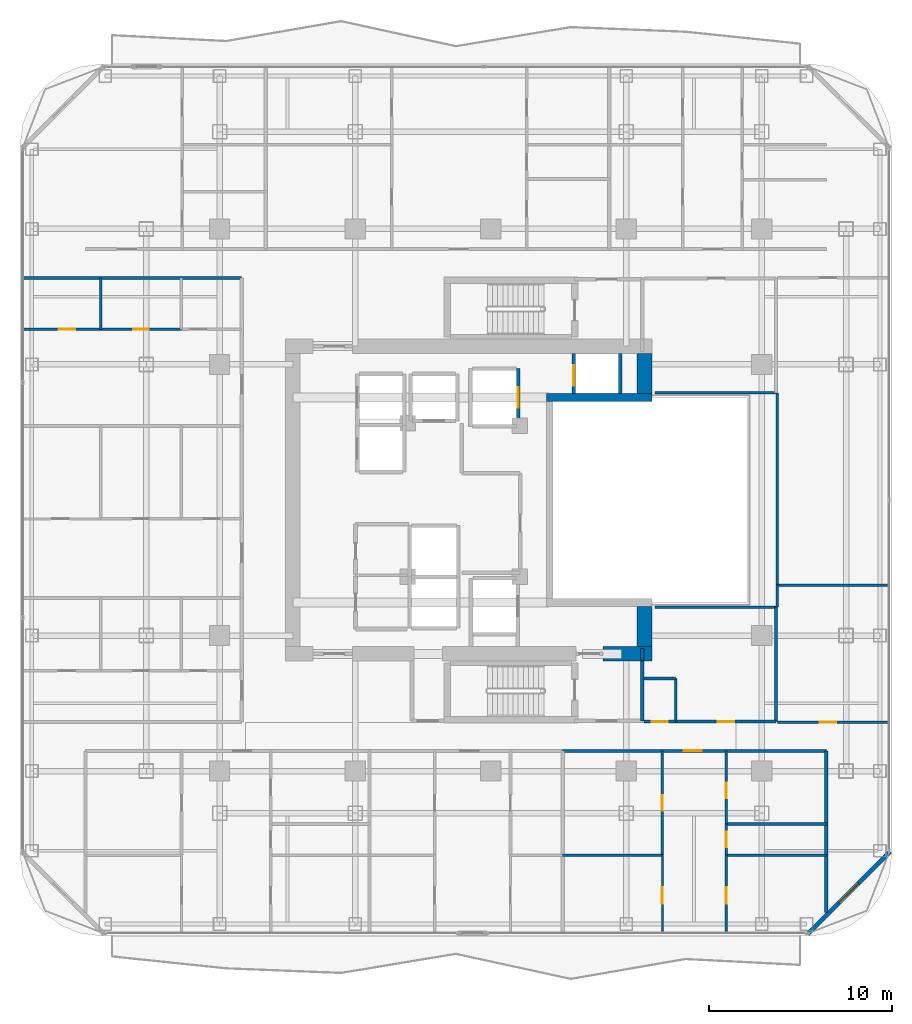
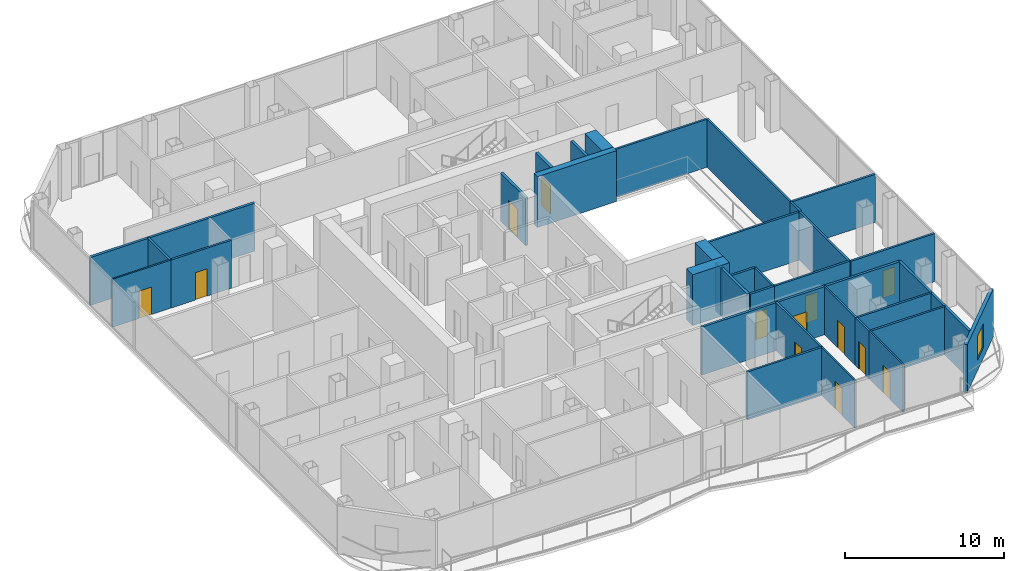
# One storey, part 21 of 26: 35 walls, 13 doors, 1 window, 14 openings.
"""IFC4 building model written with IfcOpenShell, lengths in metres."""

import ifcopenshell
import ifcopenshell.guid

model = None  # the IFC model being written
_history = None  # IfcOwnerHistory: only IFC2X3 demands one
_inside = {}  # id of a spatial element -> (the spatial element, [elements in it])
_under = {}  # id of a project, library or spatial element -> (it, [spatial elements below it])
_declared = {}  # id of a project -> (the project, [libraries it declares])
_typed = {}  # id of a type object -> (the type object, [elements of that type])
_made_of = {}  # id of a material, layer set ... -> (it, [elements and type objects made of it])


def new_model(schema):
    """Start an empty IFC model of exactly this schema.

    Asked for "IFC4X3", IfcOpenShell would pick the latest addendum, in which some entities
    have other attributes; the version numbers below select the first issue.
    IFC2X3 requires an IfcOwnerHistory on every rooted entity: one is made here for all.
    """
    global model, _history
    if schema == "IFC4X3":
        model = ifcopenshell.file(schema_version=(4, 3, 0, 0))
    else:
        model = ifcopenshell.file(schema=schema)
    _inside.clear()
    _under.clear()
    _declared.clear()
    _typed.clear()
    _made_of.clear()
    _history = None
    if model.schema == "IFC2X3":
        org = make("IfcOrganization", Name="unknown")
        user = make(
            "IfcPersonAndOrganization",
            ThePerson=make("IfcPerson", FamilyName="unknown"),
            TheOrganization=org,
        )
        app = make(
            "IfcApplication",
            ApplicationDeveloper=org,
            Version="unknown",
            ApplicationFullName="unknown",
            ApplicationIdentifier="unknown",
        )
        _history = make(
            "IfcOwnerHistory",
            OwningUser=user,
            OwningApplication=app,
            ChangeAction="ADDED",
            CreationDate=0,
        )
    return model


def make(cls, **values):
    """One entity of the class cls with the attributes given. An attribute that is None is left unset."""
    return model.create_entity(
        cls, **{name: value for name, value in values.items() if value is not None}
    )


def rooted(cls, **values):
    """An entity with a GlobalId (a new one), such as an element, a storey or a relation."""
    return make(cls, GlobalId=ifcopenshell.guid.new(), OwnerHistory=_history, **values)


def si_unit(unit_type, name, prefix=None):
    """IfcSIUnit, for example si_unit("LENGTHUNIT", "METRE", prefix="MILLI")."""
    return make("IfcSIUnit", UnitType=unit_type, Prefix=prefix, Name=name)


def assignment(units):
    """IfcUnitAssignment: the units of a project."""
    return None if units is None else make("IfcUnitAssignment", Units=units)


def point(xyz):
    """IfcCartesianPoint."""
    return None if xyz is None else make("IfcCartesianPoint", Coordinates=xyz)


def direction(xyz):
    """IfcDirection."""
    return None if xyz is None else make("IfcDirection", DirectionRatios=xyz)


def frame(location, z_axis=None, x_axis=None):
    """IfcAxis2Placement3D, a coordinate frame: its origin and axes. An axis left out is left unset."""
    return make(
        "IfcAxis2Placement3D",
        Location=point(location),
        Axis=direction(z_axis),
        RefDirection=direction(x_axis),
    )


def frame_2d(location, x_axis=None):
    """IfcAxis2Placement2D, a coordinate frame in the plane: its origin and x axis."""
    return make(
        "IfcAxis2Placement2D", Location=point(location), RefDirection=direction(x_axis)
    )


def origin():
    """The frame at (0, 0, 0) with its axes left unset."""
    return frame((0.0, 0.0, 0.0))


def place(relative_to, where):
    """IfcLocalPlacement: puts the frame where relative to a parent placement (None: the world)."""
    return make(
        "IfcLocalPlacement", PlacementRelTo=relative_to, RelativePlacement=where
    )


def context(
    kind, dimensions, precision=None, world=None, true_north=None, identifier=None
):
    """IfcGeometricRepresentationContext, for example the 3D "Model" context."""
    return make(
        "IfcGeometricRepresentationContext",
        ContextIdentifier=identifier,
        ContextType=kind,
        CoordinateSpaceDimension=dimensions,
        Precision=precision,
        WorldCoordinateSystem=world,
        TrueNorth=true_north,
    )


def subcontext(parent, identifier, kind, view, scale=None):
    """IfcGeometricRepresentationSubContext, for example "Body" below "Model"."""
    return make(
        "IfcGeometricRepresentationSubContext",
        ContextIdentifier=identifier,
        ContextType=kind,
        ParentContext=parent,
        TargetScale=scale,
        TargetView=view,
    )


def project(units=None, contexts=None):
    """IfcProject with its units and contexts."""
    return rooted(
        "IfcProject",
        Name="project",
        RepresentationContexts=contexts,
        UnitsInContext=assignment(units),
    )


def spatial(cls, under=None, at=None, **own):
    """A site, building, storey or space (cls), placed at a placement, below another one or the project."""
    s = rooted(cls, ObjectPlacement=at, **own)
    if under is not None:
        _under.setdefault(under.id(), (under, []))[1].append(s)
    return s


def profile(cls, at=None, kind="AREA", **sizes):
    """A parametric profile (cls). Its sizes go by their IFC names, for example OverallWidth=200.0."""
    return make(cls, ProfileType=kind, Position=at, **sizes)


def rectangle(**sizes):
    """IfcRectangleProfileDef."""
    return profile("IfcRectangleProfileDef", **sizes)


def extrude(swept, where, along, depth):
    """IfcExtrudedAreaSolid: the profile swept, set in the frame where, extruded along a direction by depth."""
    return make(
        "IfcExtrudedAreaSolid",
        SweptArea=swept,
        Position=where,
        ExtrudedDirection=direction(along),
        Depth=depth,
    )


def shape(context_of_items, identifier, shape_type, items):
    """IfcShapeRepresentation: the items that make up one representation, for example the "Body"."""
    return make(
        "IfcShapeRepresentation",
        ContextOfItems=context_of_items,
        RepresentationIdentifier=identifier,
        RepresentationType=shape_type,
        Items=items,
    )


def material(Name=None, Category=None):
    """IfcMaterial."""
    return make("IfcMaterial", Name=Name, Category=Category)


def layer(
    of_material, thickness, ventilated=None, Name=None, Category=None, Priority=None
):
    """IfcMaterialLayer: one layer of a wall or slab, of a material (None: an air gap)."""
    return make(
        "IfcMaterialLayer",
        Material=of_material,
        LayerThickness=thickness,
        IsVentilated=ventilated,
        Name=Name,
        Category=Category,
        Priority=Priority,
    )


def layer_set(layers, Name=None):
    """IfcMaterialLayerSet."""
    return make("IfcMaterialLayerSet", MaterialLayers=layers, LayerSetName=Name)


def made_of(thing, what):
    """Note that an element or type object is made of a material, layer set ...; save() writes the relation."""
    if what is not None:
        _made_of.setdefault(what.id(), (what, []))[1].append(thing)
    return thing


def type_object(cls, material=None, **own):
    """A type object (cls), such as IfcWallType, which elements share."""
    return made_of(rooted(cls, **own), material)


def element(
    cls,
    number,
    at=None,
    inside=None,
    cuts=None,
    type_object=None,
    material=None,
    context=None,
    identifier="Body",
    shape_type=None,
    held_by="IfcProductDefinitionShape",
    body=None,
    shapes=None,
    **own,
):
    """One element of the class cls, such as IfcWall. Its Tag is "e" and its number.

    at: its placement. inside: the storey or other place that contains it. cuts: it is an
    opening in that element (IfcRelVoidsElement). A single representation is given by context,
    identifier, shape_type and body (its items); several are given by shapes. held_by: the class
    of the entity that holds the representations. save() writes the other relations.
    """
    e = rooted(cls, Tag="e%d" % number, ObjectPlacement=at, **own)
    if body is not None:
        shapes = [shape(context, identifier, shape_type, body)]
    if shapes is not None:
        e.Representation = make(held_by, Representations=shapes)
    if inside is not None:
        _inside.setdefault(inside.id(), (inside, []))[1].append(e)
    if cuts is not None:
        rooted(
            "IfcRelVoidsElement", RelatingBuildingElement=cuts, RelatedOpeningElement=e
        )
    if type_object is not None:
        _typed.setdefault(type_object.id(), (type_object, []))[1].append(e)
    return made_of(e, material)


def fill(opening, filler):
    """IfcRelFillsElement: the door or window that sits in an opening."""
    return rooted(
        "IfcRelFillsElement",
        RelatingOpeningElement=opening,
        RelatedBuildingElement=filler,
    )


def aggregate(whole, parts):
    """IfcRelAggregates: a whole, such as a stair, and the parts it consists of."""
    return rooted("IfcRelAggregates", RelatingObject=whole, RelatedObjects=parts)


def save(model, path):
    """Write the relations noted so far, then the file.

    IfcRelAggregates (storeys below a building ...), IfcRelContainedInSpatialStructure (elements
    in a storey), IfcRelDefinesByType, IfcRelAssociatesMaterial and IfcRelDeclares: one each for
    every whole, place, type object, material and project.
    """
    for whole, parts in _under.values():
        aggregate(whole, parts)
    for where, things in _inside.values():
        rooted(
            "IfcRelContainedInSpatialStructure",
            RelatedElements=things,
            RelatingStructure=where,
        )
    for kind, things in _typed.values():
        rooted("IfcRelDefinesByType", RelatedObjects=things, RelatingType=kind)
    for what, things in _made_of.values():
        rooted("IfcRelAssociatesMaterial", RelatedObjects=things, RelatingMaterial=what)
    for by, libraries in _declared.values():
        rooted("IfcRelDeclares", RelatingContext=by, RelatedDefinitions=libraries)
    model.write(path)


model = new_model("IFC4")

# Units and contexts
model_context = context("Model", 3, precision=1e-05, world=origin(), true_north=direction((0.0, 1.0)))
body_context = subcontext(model_context, "Body", "Model", "MODEL_VIEW")
ifc_project = project(units=[si_unit("LENGTHUNIT", "METRE"), si_unit("AREAUNIT", "SQUARE_METRE"), si_unit("VOLUMEUNIT", "CUBIC_METRE"), si_unit("PLANEANGLEUNIT", "RADIAN"), si_unit("MASSUNIT", "GRAM", prefix="KILO")], contexts=[model_context])

# Site, building, storey
site_placement = place(None, origin())
site = spatial("IfcSite", under=ifc_project, at=site_placement, CompositionType="ELEMENT")
building_placement = place(site_placement, origin())
building = spatial("IfcBuilding", under=site, at=building_placement, Name="Khorvyn Point Tower", CompositionType="ELEMENT")
storey_placement = place(building_placement, frame((0.0, 0.0, 183.60009765625)))
storey = spatial("IfcBuildingStorey", under=building, at=storey_placement, Name="L45", CompositionType="ELEMENT", Elevation=183.60009765625)

# Wall, opening, door
ifc_material_1 = material(Name="Double acoustic gypsum on twin steel stud", Category="steel")
ifc_layer_1 = layer(ifc_material_1, 0.179931640625)
ifc_layer_set_1 = layer_set([ifc_layer_1], Name="Acoustic Double-Stud Apartment Demising Wall 180")
wall_type_1 = type_object("IfcWallType", Name="Acoustic Double-Stud Apartment Demising Wall 180", PredefinedType="PARTITIONING", material=ifc_layer_set_1)
wall_1_placement = place(storey_placement, frame((3.929931640625, -13.699951171875, 0.0), z_axis=(0.0, 0.0, 1.0), x_axis=(1.0, 0.0, 0.0)))
wall_1 = element("IfcWall", 1, at=wall_1_placement, inside=storey, type_object=wall_type_1, Name="Wall", PredefinedType="PARTITIONING", context=body_context, shape_type="SweptSolid", body=[
    extrude(rectangle(XDim=14.39013671875, YDim=0.179931640625, at=frame_2d((7.195068359375, 0.0))), origin(), (0.0, 0.0, 1.0), 3.679931640625),
])
opening_1_placement = place(wall_1_placement, frame((6.60546875, 0.0, 0.0)))
opening_1 = element("IfcOpeningElement", 2, at=opening_1_placement, cuts=wall_1, Name="Opening ID-AP60", PredefinedType="OPENING", context=body_context, shape_type="SweptSolid", body=[
    extrude(rectangle(XDim=1.0, YDim=2.199951171875, at=frame_2d((0.5, 1.10009765625))), frame((0.0, 0.099853515625, 0.0), z_axis=(0.0, -1.0, 0.0), x_axis=(1.0, 0.0, 0.0)), (0.0, 0.0, 1.0), 0.199951171875),
])
ifc_material_2 = material(Name="Engineered hardwood fire-rated leaf", Category="wood")
door_type_1 = type_object("IfcDoorType", Name="Acoustic Solid-Core Timber Apartment Entrance Door 1000x2200", OperationType="NOTDEFINED", PredefinedType="DOOR", material=ifc_material_2)
door_1_placement = place(opening_1_placement, origin())
door_1 = element("IfcDoor", 3, at=door_1_placement, inside=storey, type_object=door_type_1, Name="Door", OperationType="SINGLE_SWING_RIGHT", OverallHeight=2.199951171875, OverallWidth=1.0, PredefinedType="DOOR", context=body_context, shape_type="SweptSolid", body=[
    extrude(rectangle(XDim=1.0, YDim=2.199951171875, at=frame_2d((0.5, 1.10009765625))), frame((0.0, 0.02490234375, 0.0), z_axis=(0.0, -1.0, 0.0), x_axis=(1.0, 0.0, 0.0)), (0.0, 0.0, 1.0), 0.050048828125),
])
fill(opening_1, door_1)

# Walls
wall_2_placement = place(storey_placement, frame((18.320068359375, -22.510009765625, 0.0), z_axis=(0.0, 0.0, 1.0), x_axis=(0.0, 1.0, 0.0)))
element("IfcWall", 4, at=wall_2_placement, inside=storey, type_object=wall_type_1, Name="Wall", PredefinedType="PARTITIONING", context=body_context, shape_type="SweptSolid", body=[
    extrude(rectangle(XDim=8.81005859375, YDim=0.179931640625, at=frame_2d((4.405029296875, 0.0))), origin(), (0.0, 0.0, 1.0), 3.679931640625),
])
wall_3_placement = place(storey_placement, frame((-25.530029296875, 12.1201171875, 0.0), z_axis=(0.0, 0.0, 1.0), x_axis=(1.0, 0.0, 0.0)))
element("IfcWall", 5, at=wall_3_placement, inside=storey, type_object=wall_type_1, Name="Wall", PredefinedType="PARTITIONING", context=body_context, shape_type="SweptSolid", body=[
    extrude(rectangle(XDim=11.929931640625, YDim=0.179931640625, at=frame_2d((5.96484375, 0.0))), origin(), (0.0, 0.0, 1.0), 3.679931640625),
])

# Wall, opening, window
ifc_material_3 = material(Name="Pale anodised aluminium rainscreen on steel stud", Category="steel")
ifc_layer_2 = layer(ifc_material_3, 0.239990234375)
ifc_layer_set_2 = layer_set([ifc_layer_2], Name="Anodised Aluminium Insulated Corner Spandrel Wall 240")
wall_type_2 = type_object("IfcWallType", Name="Anodised Aluminium Insulated Corner Spandrel Wall 240", PredefinedType="SOLIDWALL", material=ifc_layer_set_2)
wall_4_placement = place(storey_placement, frame((21.79248046875, -19.20751953125, 0.0), z_axis=(0.0, 0.0, 1.0), x_axis=(-0.707106781187, -0.707106781187, 0.0)))
wall_4 = element("IfcWall", 6, at=wall_4_placement, inside=storey, type_object=wall_type_2, Name="L45 Rounded Corner Wall SE", PredefinedType="SOLIDWALL", context=body_context, shape_type="SweptSolid", body=[
    extrude(rectangle(XDim=6.342529296875, YDim=0.239990234375, at=frame_2d((3.17138671875, 0.0))), origin(), (0.0, 0.0, 1.0), 3.679931640625),
])
opening_2_placement = place(wall_4_placement, frame((2.42138671875, 0.0, 0.800048828125)))
opening_2 = element("IfcOpeningElement", 7, at=opening_2_placement, cuts=wall_4, Name="Opening WN-1518", PredefinedType="OPENING", context=body_context, shape_type="SweptSolid", body=[
    extrude(rectangle(XDim=1.5, YDim=1.85009765625, at=frame_2d((0.75, 0.925048828125))), frame((0.0, 0.1298828125, 0.0), z_axis=(0.0, -1.0, 0.0), x_axis=(1.0, 0.0, 0.0)), (0.0, 0.0, 1.0), 0.260009765625),
])
ifc_material_4 = material(Name="Anodised aluminium 6063-T6 and laminated Low-E glass", Category="aluminium")
window_type = type_object("IfcWindowType", Name="Anodised Aluminium Rounded-Corner Panoramic Window 1500x1850", PartitioningType="SINGLE_PANEL", PredefinedType="WINDOW", material=ifc_material_4)
window_placement = place(opening_2_placement, origin())
window = element("IfcWindow", 8, at=window_placement, inside=storey, type_object=window_type, Name="L45 Corner Panoramic Window SE", OverallHeight=1.85009765625, OverallWidth=1.5, PartitioningType="SINGLE_PANEL", PredefinedType="WINDOW", context=body_context, shape_type="SweptSolid", body=[
    extrude(rectangle(XDim=1.5, YDim=1.85009765625, at=frame_2d((0.75, 0.925048828125))), frame((0.0, 0.030029296875, 0.0), z_axis=(0.0, -1.0, 0.0), x_axis=(1.0, 0.0, 0.0)), (0.0, 0.0, 1.0), 0.06005859375),
])
fill(opening_2, window)

# Walls
ifc_material_5 = material(Name="Concrete C40/50", Category="concrete")
ifc_layer_3 = layer(ifc_material_5, 0.449951171875)
ifc_layer_set_3 = layer_set([ifc_layer_3], Name="Concrete C40/50 Core Shear Wall 450")
wall_type_3 = type_object("IfcWallType", Name="Concrete C40/50 Core Shear Wall 450", PredefinedType="SHEAR", material=ifc_layer_set_3)
wall_5_placement = place(storey_placement, frame((3.044921875, 5.60009765625, 0.0), z_axis=(0.0, 0.0, 1.0), x_axis=(1.0, 0.0, 0.0)))
element("IfcWall", 9, at=wall_5_placement, inside=storey, type_object=wall_type_3, Name="Wall", PredefinedType="SHEAR", context=body_context, shape_type="SweptSolid", body=[
    extrude(rectangle(XDim=5.755126953125, YDim=0.449951171875, at=frame_2d((2.87744140625, 0.0))), origin(), (0.0, 0.0, 1.0), 3.89990234375),
])
ifc_layer_4 = layer(ifc_material_5, 0.199951171875)
ifc_layer_set_4 = layer_set([ifc_layer_4], Name="Concrete C40/50 Fire-Lobby Compartment Wall 200")
wall_type_4 = type_object("IfcWallType", Name="Concrete C40/50 Fire-Lobby Compartment Wall 200", PredefinedType="SOLIDWALL", material=ifc_layer_set_4)
wall_6_placement = place(storey_placement, frame((8.280029296875, -12.06005859375, 0.0), z_axis=(0.0, 0.0, 1.0), x_axis=(0.0, 1.0, 0.0)))
element("IfcWall", 10, at=wall_6_placement, inside=storey, type_object=wall_type_4, Name="Wall", PredefinedType="SOLIDWALL", context=body_context, shape_type="SweptSolid", body=[
    extrude(rectangle(XDim=3.260009765625, YDim=0.199951171875, at=frame_2d((1.6298828125, 0.0))), origin(), (0.0, 0.0, 1.0), 3.679931640625),
])
wall_7_placement = place(storey_placement, frame((8.280029296875, -8.72509765625, 0.0), z_axis=(0.0, 0.0, 1.0), x_axis=(0.0, 1.0, 0.0)))
element("IfcWall", 11, at=wall_7_placement, inside=storey, type_object=wall_type_4, Name="Wall", PredefinedType="SOLIDWALL", context=body_context, shape_type="SweptSolid", body=[
    extrude(rectangle(XDim=0.625, YDim=0.199951171875, at=frame_2d((0.3125, 0.0))), origin(), (0.0, 0.0, 1.0), 3.679931640625),
])

# Wall, opening, door
ifc_layer_5 = layer(ifc_material_5, 0.199951171875)
ifc_layer_set_5 = layer_set([ifc_layer_5], Name="Concrete C40/50 Structural Hoistway and Stair Shaft Wall 200")
wall_type_5 = type_object("IfcWallType", Name="Concrete C40/50 Structural Hoistway and Stair Shaft Wall 200", PredefinedType="SHEAR", material=ifc_layer_set_5)
wall_8_placement = place(storey_placement, frame((1.5, 4.02490234375, 0.0), z_axis=(0.0, 0.0, 1.0), x_axis=(0.0, 1.0, 0.0)))
wall_8 = element("IfcWall", 12, at=wall_8_placement, inside=storey, type_object=wall_type_5, Name="Wall", PredefinedType="SHEAR", context=body_context, shape_type="SweptSolid", body=[
    extrude(rectangle(XDim=3.150146484375, YDim=0.199951171875, at=frame_2d((1.5751953125, 0.0))), origin(), (0.0, 0.0, 1.0), 3.679931640625),
])
opening_3_placement = place(wall_8_placement, frame((1.02490234375, 0.0, 0.0)))
opening_3 = element("IfcOpeningElement", 13, at=opening_3_placement, cuts=wall_8, Name="Opening LD-1122", PredefinedType="OPENING", context=body_context, shape_type="SweptSolid", body=[
    extrude(rectangle(XDim=1.10009765625, YDim=2.199951171875, at=frame_2d((0.550048828125, 1.10009765625))), frame((0.0, 0.10986328125, 0.0), z_axis=(0.0, -1.0, 0.0), x_axis=(1.0, 0.0, 0.0)), (0.0, 0.0, 1.0), 0.219970703125),
])
ifc_material_6 = material(Name="Stainless steel 1.4301", Category="steel")
door_type_2 = type_object("IfcDoorType", Name="Stainless Steel Automatic Sliding Lift Landing Door 1100x2200", OperationType="SLIDING_TO_LEFT", PredefinedType="DOOR", material=ifc_material_6)
door_2_placement = place(opening_3_placement, origin())
door_2 = element("IfcDoor", 14, at=door_2_placement, inside=storey, type_object=door_type_2, Name="L45 SV-01 Sliding Lift Landing Door", OperationType="SLIDING_TO_LEFT", OverallHeight=2.199951171875, OverallWidth=1.10009765625, PredefinedType="DOOR", context=body_context, shape_type="SweptSolid", body=[
    extrude(rectangle(XDim=1.10009765625, YDim=2.199951171875, at=frame_2d((0.550048828125, 1.10009765625))), frame((0.0, 0.02490234375, 0.0), z_axis=(0.0, -1.0, 0.0), x_axis=(1.0, 0.0, 0.0)), (0.0, 0.0, 1.0), 0.050048828125),
])
fill(opening_3, door_2)

wall_9_placement = place(storey_placement, frame((4.52490234375, 5.824951171875, 0.0), z_axis=(0.0, 0.0, 1.0), x_axis=(0.0, 1.0, 0.0)))
wall_9 = element("IfcWall", 15, at=wall_9_placement, inside=storey, type_object=wall_type_5, Name="Wall", PredefinedType="SHEAR", context=body_context, shape_type="SweptSolid", body=[
    extrude(rectangle(XDim=2.175048828125, YDim=0.199951171875, at=frame_2d((1.08740234375, 0.0))), origin(), (0.0, 0.0, 1.0), 3.679931640625),
])
opening_4_placement = place(wall_9_placement, frame((0.425048828125, 0.0, 0.0)))
opening_4 = element("IfcOpeningElement", 16, at=opening_4_placement, cuts=wall_9, Name="Opening LD-1122", PredefinedType="OPENING", context=body_context, shape_type="SweptSolid", body=[
    extrude(rectangle(XDim=1.10009765625, YDim=2.199951171875, at=frame_2d((0.550048828125, 1.10009765625))), frame((0.0, 0.10986328125, 0.0), z_axis=(0.0, -1.0, 0.0), x_axis=(1.0, 0.0, 0.0)), (0.0, 0.0, 1.0), 0.219970703125),
])
door_3_placement = place(opening_4_placement, origin())
door_3 = element("IfcDoor", 17, at=door_3_placement, inside=storey, type_object=door_type_2, Name="L45 FF-02 Sliding Lift Landing Door", OperationType="SLIDING_TO_LEFT", OverallHeight=2.199951171875, OverallWidth=1.10009765625, PredefinedType="DOOR", context=body_context, shape_type="SweptSolid", body=[
    extrude(rectangle(XDim=1.10009765625, YDim=2.199951171875, at=frame_2d((0.550048828125, 1.10009765625))), frame((0.0, 0.02490234375, 0.0), z_axis=(0.0, -1.0, 0.0), x_axis=(1.0, 0.0, 0.0)), (0.0, 0.0, 1.0), 0.050048828125),
])
fill(opening_4, door_3)

# Walls
wall_10_placement = place(storey_placement, frame((7.074951171875, 5.824951171875, 0.0), z_axis=(0.0, 0.0, 1.0), x_axis=(0.0, 1.0, 0.0)))
element("IfcWall", 18, at=wall_10_placement, inside=storey, type_object=wall_type_5, Name="Wall", PredefinedType="SHEAR", context=body_context, shape_type="SweptSolid", body=[
    extrude(rectangle(XDim=2.175048828125, YDim=0.199951171875, at=frame_2d((1.08740234375, 0.0))), origin(), (0.0, 0.0, 1.0), 3.679931640625),
])
ifc_material_7 = material(Name="Concrete C45/55", Category="concrete")
ifc_layer_6 = layer(ifc_material_7, 0.800048828125)
ifc_layer_set_6 = layer_set([ifc_layer_6], Name="Concrete C45/55 Core Shear Wall 800")
wall_type_6 = type_object("IfcWallType", Name="Concrete C45/55 Core Shear Wall 800", PredefinedType="SHEAR", material=ifc_layer_set_6)
wall_11_placement = place(storey_placement, frame((6.1201171875, -8.39990234375, 0.0), z_axis=(0.0, 0.0, 1.0), x_axis=(1.0, 0.0, 0.0)))
element("IfcWall", 19, at=wall_11_placement, inside=storey, type_object=wall_type_6, Name="Wall", PredefinedType="SHEAR", context=body_context, shape_type="SweptSolid", body=[
    extrude(rectangle(XDim=2.679931640625, YDim=0.800048828125, at=frame_2d((1.33984375, 0.0))), origin(), (0.0, 0.0, 1.0), 3.89990234375),
])
for number, where, z_axis, x_axis, name in (
    (20, (8.39990234375, -8.0, 0.0), (0.0, 0.0, 1.0), (0.0, 1.0, 0.0), "Wall"),
    (21, (8.39990234375, 5.824951171875, 0.0), (0.0, 0.0, 1.0), (0.0, 1.0, 0.0), "Wall"),
):
    element("IfcWall", number, at=place(storey_placement, frame(where, z_axis=z_axis, x_axis=x_axis)), inside=storey, type_object=wall_type_6, Name=name, PredefinedType="SHEAR", context=body_context, shape_type="SweptSolid", body=[
        extrude(rectangle(XDim=2.175048828125, YDim=0.800048828125, at=frame_2d((1.08740234375, 0.0))), origin(), (0.0, 0.0, 1.0), 3.89990234375),
    ])

# Wall, opening, door
ifc_material_8 = material(Name="Gypsum plasterboard on steel stud", Category="steel")
ifc_layer_7 = layer(ifc_material_8, 0.1201171875)
ifc_layer_set_7 = layer_set([ifc_layer_7], Name="Gypsum Acoustic Stud Room Partition Wall 120")
wall_type_7 = type_object("IfcWallType", Name="Gypsum Acoustic Stud Room Partition Wall 120", PredefinedType="PARTITIONING", material=ifc_layer_set_7)
wall_12_placement = place(storey_placement, frame((9.3720703125, -23.6298828125, 0.0), z_axis=(0.0, 0.0, 1.0), x_axis=(0.0, 1.0, 0.0)))
wall_12 = element("IfcWall", 22, at=wall_12_placement, inside=storey, type_object=wall_type_7, Name="Wall", PredefinedType="PARTITIONING", context=body_context, shape_type="SweptSolid", body=[
    extrude(rectangle(XDim=4.239990234375, YDim=0.1201171875, at=frame_2d((2.1201171875, 0.0))), origin(), (0.0, 0.0, 1.0), 3.679931640625),
])
opening_5_placement = place(wall_12_placement, frame((1.581298828125, 0.0, 0.0)))
opening_5 = element("IfcOpeningElement", 23, at=opening_5_placement, cuts=wall_12, Name="Opening ID-RM90", PredefinedType="OPENING", context=body_context, shape_type="SweptSolid", body=[
    extrude(rectangle(XDim=0.89990234375, YDim=2.10009765625, at=frame_2d((0.449951171875, 1.050048828125))), frame((0.0, 0.070068359375, 0.0), z_axis=(0.0, -1.0, 0.0), x_axis=(1.0, 0.0, 0.0)), (0.0, 0.0, 1.0), 0.14013671875),
])
ifc_material_9 = material(Name="Engineered oak veneer timber", Category="wood")
door_type_3 = type_object("IfcDoorType", Name="Flush Engineered Timber Room Door 900x2100", OperationType="NOTDEFINED", PredefinedType="DOOR", material=ifc_material_9)
door_4_placement = place(opening_5_placement, origin())
door_4 = element("IfcDoor", 24, at=door_4_placement, inside=storey, type_object=door_type_3, Name="Door", OperationType="SINGLE_SWING_RIGHT", OverallHeight=2.10009765625, OverallWidth=0.89990234375, PredefinedType="DOOR", context=body_context, shape_type="SweptSolid", body=[
    extrude(rectangle(XDim=0.89990234375, YDim=2.10009765625, at=frame_2d((0.449951171875, 1.050048828125))), frame((0.0, 0.02490234375, 0.0), z_axis=(0.0, -1.0, 0.0), x_axis=(1.0, 0.0, 0.0)), (0.0, 0.0, 1.0), 0.050048828125),
])
fill(opening_5, door_4)

wall_13_placement = place(storey_placement, frame((12.85888671875, -17.68310546875, 0.0), z_axis=(0.0, 0.0, 1.0), x_axis=(0.0, 1.0, 0.0)))
wall_13 = element("IfcWall", 25, at=wall_13_placement, inside=storey, type_object=wall_type_7, Name="Wall", PredefinedType="PARTITIONING", context=body_context, shape_type="SweptSolid", body=[
    extrude(rectangle(XDim=3.983154296875, YDim=0.1201171875, at=frame_2d((1.99169921875, 0.0))), origin(), (0.0, 0.0, 1.0), 3.679931640625),
])
opening_6_placement = place(wall_13_placement, frame((1.390625, 0.0, 0.0)))
opening_6 = element("IfcOpeningElement", 26, at=opening_6_placement, cuts=wall_13, Name="Opening ID-WC85", PredefinedType="OPENING", context=body_context, shape_type="SweptSolid", body=[
    extrude(rectangle(XDim=0.85009765625, YDim=2.10009765625, at=frame_2d((0.425048828125, 1.050048828125))), frame((0.0, 0.070068359375, 0.0), z_axis=(0.0, -1.0, 0.0), x_axis=(1.0, 0.0, 0.0)), (0.0, 0.0, 1.0), 0.14013671875),
])
ifc_material_10 = material(Name="High-pressure laminate on moisture-resistant core", Category="wood")
door_type_4 = type_object("IfcDoorType", Name="Moisture-Resistant Accessible Washroom Door 850x2100", OperationType="NOTDEFINED", PredefinedType="DOOR", material=ifc_material_10)
door_5_placement = place(opening_6_placement, origin())
door_5 = element("IfcDoor", 27, at=door_5_placement, inside=storey, type_object=door_type_4, Name="Door", OperationType="SINGLE_SWING_RIGHT", OverallHeight=2.10009765625, OverallWidth=0.85009765625, PredefinedType="DOOR", context=body_context, shape_type="SweptSolid", body=[
    extrude(rectangle(XDim=0.85009765625, YDim=2.10009765625, at=frame_2d((0.425048828125, 1.050048828125))), frame((0.0, 0.02490234375, 0.0), z_axis=(0.0, -1.0, 0.0), x_axis=(1.0, 0.0, 0.0)), (0.0, 0.0, 1.0), 0.050048828125),
])
fill(opening_6, door_5)

wall_14_placement = place(storey_placement, frame((12.85888671875, -23.6298828125, 0.0), z_axis=(0.0, 0.0, 1.0), x_axis=(0.0, 1.0, 0.0)))
wall_14 = element("IfcWall", 28, at=wall_14_placement, inside=storey, type_object=wall_type_7, Name="Wall", PredefinedType="PARTITIONING", context=body_context, shape_type="SweptSolid", body=[
    extrude(rectangle(XDim=4.239990234375, YDim=0.1201171875, at=frame_2d((2.1201171875, 0.0))), origin(), (0.0, 0.0, 1.0), 3.679931640625),
])
opening_7_placement = place(wall_14_placement, frame((1.581298828125, 0.0, 0.0)))
opening_7 = element("IfcOpeningElement", 29, at=opening_7_placement, cuts=wall_14, Name="Opening ID-RM90", PredefinedType="OPENING", context=body_context, shape_type="SweptSolid", body=[
    extrude(rectangle(XDim=0.89990234375, YDim=2.10009765625, at=frame_2d((0.449951171875, 1.050048828125))), frame((0.0, 0.070068359375, 0.0), z_axis=(0.0, -1.0, 0.0), x_axis=(1.0, 0.0, 0.0)), (0.0, 0.0, 1.0), 0.14013671875),
])
door_6_placement = place(opening_7_placement, origin())
door_6 = element("IfcDoor", 30, at=door_6_placement, inside=storey, type_object=door_type_3, Name="Door", OperationType="SINGLE_SWING_LEFT", OverallHeight=2.10009765625, OverallWidth=0.89990234375, PredefinedType="DOOR", context=body_context, shape_type="SweptSolid", body=[
    extrude(rectangle(XDim=0.89990234375, YDim=2.10009765625, at=frame_2d((0.449951171875, 1.050048828125))), frame((0.0, 0.02490234375, 0.0), z_axis=(0.0, -1.0, 0.0), x_axis=(1.0, 0.0, 0.0)), (0.0, 0.0, 1.0), 0.050048828125),
])
fill(opening_7, door_6)

wall_15_placement = place(storey_placement, frame((-25.530029296875, 9.320068359375, 0.0), z_axis=(0.0, 0.0, 1.0), x_axis=(1.0, 0.0, 0.0)))
wall_15 = element("IfcWall", 31, at=wall_15_placement, inside=storey, type_object=wall_type_7, Name="Wall", PredefinedType="PARTITIONING", context=body_context, shape_type="SweptSolid", body=[
    extrude(rectangle(XDim=4.239990234375, YDim=0.1201171875, at=frame_2d((2.1201171875, 0.0))), origin(), (0.0, 0.0, 1.0), 3.679931640625),
])
opening_8_placement = place(wall_15_placement, frame((1.9365234375, 0.0, 0.0)))
opening_8 = element("IfcOpeningElement", 32, at=opening_8_placement, cuts=wall_15, Name="Opening ID-RM90", PredefinedType="OPENING", context=body_context, shape_type="SweptSolid", body=[
    extrude(rectangle(XDim=0.89990234375, YDim=2.10009765625, at=frame_2d((0.449951171875, 1.050048828125))), frame((0.0, 0.070068359375, 0.0), z_axis=(0.0, -1.0, 0.0), x_axis=(1.0, 0.0, 0.0)), (0.0, 0.0, 1.0), 0.14013671875),
])
door_7_placement = place(opening_8_placement, origin())
door_7 = element("IfcDoor", 33, at=door_7_placement, inside=storey, type_object=door_type_3, Name="Door", OperationType="SINGLE_SWING_LEFT", OverallHeight=2.10009765625, OverallWidth=0.89990234375, PredefinedType="DOOR", context=body_context, shape_type="SweptSolid", body=[
    extrude(rectangle(XDim=0.89990234375, YDim=2.10009765625, at=frame_2d((0.449951171875, 1.050048828125))), frame((0.0, 0.02490234375, 0.0), z_axis=(0.0, -1.0, 0.0), x_axis=(1.0, 0.0, 0.0)), (0.0, 0.0, 1.0), 0.050048828125),
])
fill(opening_8, door_7)

ifc_material_11 = material(Name="Moisture-resistant gypsum and cement board", Category="gypsum")
ifc_layer_8 = layer(ifc_material_11, 0.14990234375)
ifc_layer_set_8 = layer_set([ifc_layer_8], Name="Moisture-Resistant Wet-Room Partition Wall 150")
wall_type_8 = type_object("IfcWallType", Name="Moisture-Resistant Wet-Room Partition Wall 150", PredefinedType="PARTITIONING", material=ifc_layer_set_8)
wall_16_placement = place(storey_placement, frame((8.360107421875, -12.10009765625, 0.0), z_axis=(0.0, 0.0, 1.0), x_axis=(1.0, 0.0, 0.0)))
wall_16 = element("IfcWall", 34, at=wall_16_placement, inside=storey, type_object=wall_type_8, Name="Wall", PredefinedType="PARTITIONING", context=body_context, shape_type="SweptSolid", body=[
    extrude(rectangle(XDim=1.739990234375, YDim=0.14990234375, at=frame_2d((0.8701171875, 0.0))), origin(), (0.0, 0.0, 1.0), 3.679931640625),
])
opening_9_placement = place(wall_16_placement, frame((0.445068359375, 0.0, 0.0)))
opening_9 = element("IfcOpeningElement", 35, at=opening_9_placement, cuts=wall_16, Name="Opening ID-WC85", PredefinedType="OPENING", context=body_context, shape_type="SweptSolid", body=[
    extrude(rectangle(XDim=0.85009765625, YDim=2.10009765625, at=frame_2d((0.425048828125, 1.050048828125))), frame((0.0, 0.0849609375, 0.0), z_axis=(0.0, -1.0, 0.0), x_axis=(1.0, 0.0, 0.0)), (0.0, 0.0, 1.0), 0.169921875),
])
door_8_placement = place(opening_9_placement, origin())
door_8 = element("IfcDoor", 36, at=door_8_placement, inside=storey, type_object=door_type_4, Name="Door", OperationType="SINGLE_SWING_RIGHT", OverallHeight=2.10009765625, OverallWidth=0.85009765625, PredefinedType="DOOR", context=body_context, shape_type="SweptSolid", body=[
    extrude(rectangle(XDim=0.85009765625, YDim=2.10009765625, at=frame_2d((0.425048828125, 1.050048828125))), frame((0.0, 0.02490234375, 0.0), z_axis=(0.0, -1.0, 0.0), x_axis=(1.0, 0.0, 0.0)), (0.0, 0.0, 1.0), 0.050048828125),
])
fill(opening_9, door_8)

wall_17_placement = place(storey_placement, frame((10.10009765625, -12.10009765625, 0.0), z_axis=(0.0, 0.0, 1.0), x_axis=(1.0, 0.0, 0.0)))
wall_17 = element("IfcWall", 37, at=wall_17_placement, inside=storey, type_object=wall_type_8, Name="Wall", PredefinedType="PARTITIONING", context=body_context, shape_type="SweptSolid", body=[
    extrude(rectangle(XDim=5.47998046875, YDim=0.14990234375, at=frame_2d((2.739990234375, 0.0))), origin(), (0.0, 0.0, 1.0), 3.679931640625),
])
opening_10_placement = place(wall_17_placement, frame((2.2900390625, 0.0, 0.0)))
opening_10 = element("IfcOpeningElement", 38, at=opening_10_placement, cuts=wall_17, Name="Opening ID-RM90", PredefinedType="OPENING", context=body_context, shape_type="SweptSolid", body=[
    extrude(rectangle(XDim=0.89990234375, YDim=2.10009765625, at=frame_2d((0.449951171875, 1.050048828125))), frame((0.0, 0.0849609375, 0.0), z_axis=(0.0, -1.0, 0.0), x_axis=(1.0, 0.0, 0.0)), (0.0, 0.0, 1.0), 0.169921875),
])
door_9_placement = place(opening_10_placement, origin())
door_9 = element("IfcDoor", 39, at=door_9_placement, inside=storey, type_object=door_type_3, Name="Door", OperationType="SINGLE_SWING_LEFT", OverallHeight=2.10009765625, OverallWidth=0.89990234375, PredefinedType="DOOR", context=body_context, shape_type="SweptSolid", body=[
    extrude(rectangle(XDim=0.89990234375, YDim=2.10009765625, at=frame_2d((0.449951171875, 1.050048828125))), frame((0.0, 0.02490234375, 0.0), z_axis=(0.0, -1.0, 0.0), x_axis=(1.0, 0.0, 0.0)), (0.0, 0.0, 1.0), 0.050048828125),
])
fill(opening_10, door_9)

wall_18_placement = place(storey_placement, frame((9.3720703125, -19.389892578125, 0.0), z_axis=(0.0, 0.0, 1.0), x_axis=(0.0, 1.0, 0.0)))
wall_18 = element("IfcWall", 40, at=wall_18_placement, inside=storey, type_object=wall_type_8, Name="Wall", PredefinedType="PARTITIONING", context=body_context, shape_type="SweptSolid", body=[
    extrude(rectangle(XDim=5.68994140625, YDim=0.14990234375, at=frame_2d((2.844970703125, 0.0))), origin(), (0.0, 0.0, 1.0), 3.679931640625),
])
opening_11_placement = place(wall_18_placement, frame((2.419921875, 0.0, 0.0)))
opening_11 = element("IfcOpeningElement", 41, at=opening_11_placement, cuts=wall_18, Name="Opening ID-WC85", PredefinedType="OPENING", context=body_context, shape_type="SweptSolid", body=[
    extrude(rectangle(XDim=0.85009765625, YDim=2.10009765625, at=frame_2d((0.425048828125, 1.050048828125))), frame((0.0, 0.0849609375, 0.0), z_axis=(0.0, -1.0, 0.0), x_axis=(1.0, 0.0, 0.0)), (0.0, 0.0, 1.0), 0.169921875),
])
door_10_placement = place(opening_11_placement, origin())
door_10 = element("IfcDoor", 42, at=door_10_placement, inside=storey, type_object=door_type_4, Name="Door", OperationType="SINGLE_SWING_LEFT", OverallHeight=2.10009765625, OverallWidth=0.85009765625, PredefinedType="DOOR", context=body_context, shape_type="SweptSolid", body=[
    extrude(rectangle(XDim=0.85009765625, YDim=2.10009765625, at=frame_2d((0.425048828125, 1.050048828125))), frame((0.0, 0.02490234375, 0.0), z_axis=(0.0, -1.0, 0.0), x_axis=(1.0, 0.0, 0.0)), (0.0, 0.0, 1.0), 0.050048828125),
])
fill(opening_11, door_10)

wall_19_placement = place(storey_placement, frame((12.85888671875, -19.389892578125, 0.0), z_axis=(0.0, 0.0, 1.0), x_axis=(0.0, 1.0, 0.0)))
wall_19 = element("IfcWall", 43, at=wall_19_placement, inside=storey, type_object=wall_type_8, Name="Wall", PredefinedType="PARTITIONING", context=body_context, shape_type="SweptSolid", body=[
    extrude(rectangle(XDim=1.706787109375, YDim=0.14990234375, at=frame_2d((0.853515625, 0.0))), origin(), (0.0, 0.0, 1.0), 3.679931640625),
])
opening_12_placement = place(wall_19_placement, frame((0.428466796875, 0.0, 0.0)))
opening_12 = element("IfcOpeningElement", 44, at=opening_12_placement, cuts=wall_19, Name="Opening ID-WC85", PredefinedType="OPENING", context=body_context, shape_type="SweptSolid", body=[
    extrude(rectangle(XDim=0.85009765625, YDim=2.10009765625, at=frame_2d((0.425048828125, 1.050048828125))), frame((0.0, 0.0849609375, 0.0), z_axis=(0.0, -1.0, 0.0), x_axis=(1.0, 0.0, 0.0)), (0.0, 0.0, 1.0), 0.169921875),
])
door_11_placement = place(opening_12_placement, origin())
door_11 = element("IfcDoor", 45, at=door_11_placement, inside=storey, type_object=door_type_4, Name="Door", OperationType="SINGLE_SWING_LEFT", OverallHeight=2.10009765625, OverallWidth=0.85009765625, PredefinedType="DOOR", context=body_context, shape_type="SweptSolid", body=[
    extrude(rectangle(XDim=0.85009765625, YDim=2.10009765625, at=frame_2d((0.425048828125, 1.050048828125))), frame((0.0, 0.02490234375, 0.0), z_axis=(0.0, -1.0, 0.0), x_axis=(1.0, 0.0, 0.0)), (0.0, 0.0, 1.0), 0.050048828125),
])
fill(opening_12, door_11)

wall_20_placement = place(storey_placement, frame((-21.2900390625, 9.320068359375, 0.0), z_axis=(0.0, 0.0, 1.0), x_axis=(1.0, 0.0, 0.0)))
wall_20 = element("IfcWall", 46, at=wall_20_placement, inside=storey, type_object=wall_type_8, Name="Wall", PredefinedType="PARTITIONING", context=body_context, shape_type="SweptSolid", body=[
    extrude(rectangle(XDim=4.39697265625, YDim=0.14990234375, at=frame_2d((2.198486328125, 0.0))), origin(), (0.0, 0.0, 1.0), 3.679931640625),
])
opening_13_placement = place(wall_20_placement, frame((1.7734375, 0.0, 0.0)))
opening_13 = element("IfcOpeningElement", 47, at=opening_13_placement, cuts=wall_20, Name="Opening ID-WC85", PredefinedType="OPENING", context=body_context, shape_type="SweptSolid", body=[
    extrude(rectangle(XDim=0.85009765625, YDim=2.10009765625, at=frame_2d((0.425048828125, 1.050048828125))), frame((0.0, 0.0849609375, 0.0), z_axis=(0.0, -1.0, 0.0), x_axis=(1.0, 0.0, 0.0)), (0.0, 0.0, 1.0), 0.169921875),
])
door_12_placement = place(opening_13_placement, origin())
door_12 = element("IfcDoor", 48, at=door_12_placement, inside=storey, type_object=door_type_4, Name="Door", OperationType="SINGLE_SWING_LEFT", OverallHeight=2.10009765625, OverallWidth=0.85009765625, PredefinedType="DOOR", context=body_context, shape_type="SweptSolid", body=[
    extrude(rectangle(XDim=0.85009765625, YDim=2.10009765625, at=frame_2d((0.425048828125, 1.050048828125))), frame((0.0, 0.02490234375, 0.0), z_axis=(0.0, -1.0, 0.0), x_axis=(1.0, 0.0, 0.0)), (0.0, 0.0, 1.0), 0.050048828125),
])
fill(opening_13, door_12)

wall_21_placement = place(storey_placement, frame((15.64990234375, -12.139892578125, 0.0), z_axis=(0.0, 0.0, 1.0), x_axis=(1.0, 0.0, 0.0)))
wall_21 = element("IfcWall", 49, at=wall_21_placement, inside=storey, type_object=wall_type_8, Name="Wall", PredefinedType="PARTITIONING", context=body_context, shape_type="SweptSolid", body=[
    extrude(rectangle(XDim=6.070068359375, YDim=0.14990234375, at=frame_2d((3.03515625, 0.0))), origin(), (0.0, 0.0, 1.0), 3.679931640625),
])
opening_14_placement = place(wall_21_placement, frame((2.315673828125, 0.0, 0.0)))
opening_14 = element("IfcOpeningElement", 50, at=opening_14_placement, cuts=wall_21, Name="Opening ID-RM90", PredefinedType="OPENING", context=body_context, shape_type="SweptSolid", body=[
    extrude(rectangle(XDim=0.89990234375, YDim=2.10009765625, at=frame_2d((0.449951171875, 1.050048828125))), frame((0.0, 0.0849609375, 0.0), z_axis=(0.0, -1.0, 0.0), x_axis=(1.0, 0.0, 0.0)), (0.0, 0.0, 1.0), 0.169921875),
])
door_13_placement = place(opening_14_placement, origin())
door_13 = element("IfcDoor", 51, at=door_13_placement, inside=storey, type_object=door_type_3, Name="Door", OperationType="SINGLE_SWING_RIGHT", OverallHeight=2.10009765625, OverallWidth=0.89990234375, PredefinedType="DOOR", context=body_context, shape_type="SweptSolid", body=[
    extrude(rectangle(XDim=0.89990234375, YDim=2.10009765625, at=frame_2d((0.449951171875, 1.050048828125))), frame((0.0, 0.02490234375, 0.0), z_axis=(0.0, -1.0, 0.0), x_axis=(1.0, 0.0, 0.0)), (0.0, 0.0, 1.0), 0.050048828125),
])
fill(opening_14, door_13)

# Walls
wall_22_placement = place(storey_placement, frame((8.360107421875, -9.75, 0.0), z_axis=(0.0, 0.0, 1.0), x_axis=(1.0, 0.0, 0.0)))
element("IfcWall", 52, at=wall_22_placement, inside=storey, type_object=wall_type_8, Name="Wall", PredefinedType="PARTITIONING", context=body_context, shape_type="SweptSolid", body=[
    extrude(rectangle(XDim=1.739990234375, YDim=0.14990234375, at=frame_2d((0.8701171875, 0.0))), origin(), (0.0, 0.0, 1.0), 3.679931640625),
])
wall_23_placement = place(storey_placement, frame((10.10009765625, -12.10009765625, 0.0), z_axis=(0.0, 0.0, 1.0), x_axis=(0.0, 1.0, 0.0)))
element("IfcWall", 53, at=wall_23_placement, inside=storey, type_object=wall_type_8, Name="Wall", PredefinedType="PARTITIONING", context=body_context, shape_type="SweptSolid", body=[
    extrude(rectangle(XDim=2.35009765625, YDim=0.14990234375, at=frame_2d((1.175048828125, 0.0))), origin(), (0.0, 0.0, 1.0), 3.679931640625),
])
wall_24_placement = place(storey_placement, frame((15.580078125, -12.10009765625, 0.0), z_axis=(0.0, 0.0, 1.0), x_axis=(0.0, 1.0, 0.0)))
element("IfcWall", 54, at=wall_24_placement, inside=storey, type_object=wall_type_8, Name="Wall", PredefinedType="PARTITIONING", context=body_context, shape_type="SweptSolid", body=[
    extrude(rectangle(XDim=6.25, YDim=0.14990234375, at=frame_2d((3.125, 0.0))), origin(), (0.0, 0.0, 1.0), 3.679931640625),
])
for number, where, z_axis, x_axis, name in (
    (55, (8.9599609375, -5.85009765625, 0.0), (0.0, 0.0, 1.0), (1.0, 0.0, 0.0), "Wall"),
    (56, (8.9599609375, 5.85009765625, 0.0), (0.0, 0.0, 1.0), (1.0, 0.0, 0.0), "Wall"),
):
    element("IfcWall", number, at=place(storey_placement, frame(where, z_axis=z_axis, x_axis=x_axis)), inside=storey, type_object=wall_type_8, Name=name, PredefinedType="PARTITIONING", context=body_context, shape_type="SweptSolid", body=[
        extrude(rectangle(XDim=6.6201171875, YDim=0.14990234375, at=frame_2d((3.31005859375, 0.0))), origin(), (0.0, 0.0, 1.0), 3.679931640625),
    ])
wall_25_placement = place(storey_placement, frame((3.929931640625, -19.389892578125, 0.0), z_axis=(0.0, 0.0, 1.0), x_axis=(1.0, 0.0, 0.0)))
element("IfcWall", 57, at=wall_25_placement, inside=storey, type_object=wall_type_8, Name="Wall", PredefinedType="PARTITIONING", context=body_context, shape_type="SweptSolid", body=[
    extrude(rectangle(XDim=5.442138671875, YDim=0.14990234375, at=frame_2d((2.72119140625, 0.0))), origin(), (0.0, 0.0, 1.0), 3.679931640625),
])
for number, where, z_axis, x_axis, name in (
    (58, (12.85888671875, -17.68310546875, 0.0), (0.0, 0.0, 1.0), (1.0, 0.0, 0.0), "Wall"),
    (59, (12.85888671875, -19.389892578125, 0.0), (0.0, 0.0, 1.0), (1.0, 0.0, 0.0), "Wall"),
):
    element("IfcWall", number, at=place(storey_placement, frame(where, z_axis=z_axis, x_axis=x_axis)), inside=storey, type_object=wall_type_8, Name=name, PredefinedType="PARTITIONING", context=body_context, shape_type="SweptSolid", body=[
        extrude(rectangle(XDim=5.461181640625, YDim=0.14990234375, at=frame_2d((2.73046875, 0.0))), origin(), (0.0, 0.0, 1.0), 3.679931640625),
    ])
wall_26_placement = place(storey_placement, frame((-21.2900390625, 9.320068359375, 0.0), z_axis=(0.0, 0.0, 1.0), x_axis=(0.0, 1.0, 0.0)))
element("IfcWall", 60, at=wall_26_placement, inside=storey, type_object=wall_type_8, Name="Wall", PredefinedType="PARTITIONING", context=body_context, shape_type="SweptSolid", body=[
    extrude(rectangle(XDim=2.800048828125, YDim=0.14990234375, at=frame_2d((1.39990234375, 0.0))), origin(), (0.0, 0.0, 1.0), 3.679931640625),
])
wall_27_placement = place(storey_placement, frame((15.64990234375, -5.85009765625, 0.0), z_axis=(0.0, 0.0, 1.0), x_axis=(0.0, 1.0, 0.0)))
element("IfcWall", 61, at=wall_27_placement, inside=storey, type_object=wall_type_8, Name="Wall", PredefinedType="PARTITIONING", context=body_context, shape_type="SweptSolid", body=[
    extrude(rectangle(XDim=1.2001953125, YDim=0.14990234375, at=frame_2d((0.60009765625, 0.0))), origin(), (0.0, 0.0, 1.0), 3.679931640625),
])
wall_28_placement = place(storey_placement, frame((15.64990234375, -4.64990234375, 0.0), z_axis=(0.0, 0.0, 1.0), x_axis=(0.0, 1.0, 0.0)))
element("IfcWall", 62, at=wall_28_placement, inside=storey, type_object=wall_type_8, Name="Wall", PredefinedType="PARTITIONING", context=body_context, shape_type="SweptSolid", body=[
    extrude(rectangle(XDim=10.5, YDim=0.14990234375, at=frame_2d((5.25, 0.0))), origin(), (0.0, 0.0, 1.0), 3.679931640625),
])
wall_29_placement = place(storey_placement, frame((15.64990234375, -4.64990234375, 0.0), z_axis=(0.0, 0.0, 1.0), x_axis=(1.0, 0.0, 0.0)))
element("IfcWall", 63, at=wall_29_placement, inside=storey, type_object=wall_type_8, Name="Wall", PredefinedType="PARTITIONING", context=body_context, shape_type="SweptSolid", body=[
    extrude(rectangle(XDim=6.080078125, YDim=0.14990234375, at=frame_2d((3.0400390625, 0.0))), origin(), (0.0, 0.0, 1.0), 3.679931640625),
])

save(model, "model.ifc")
